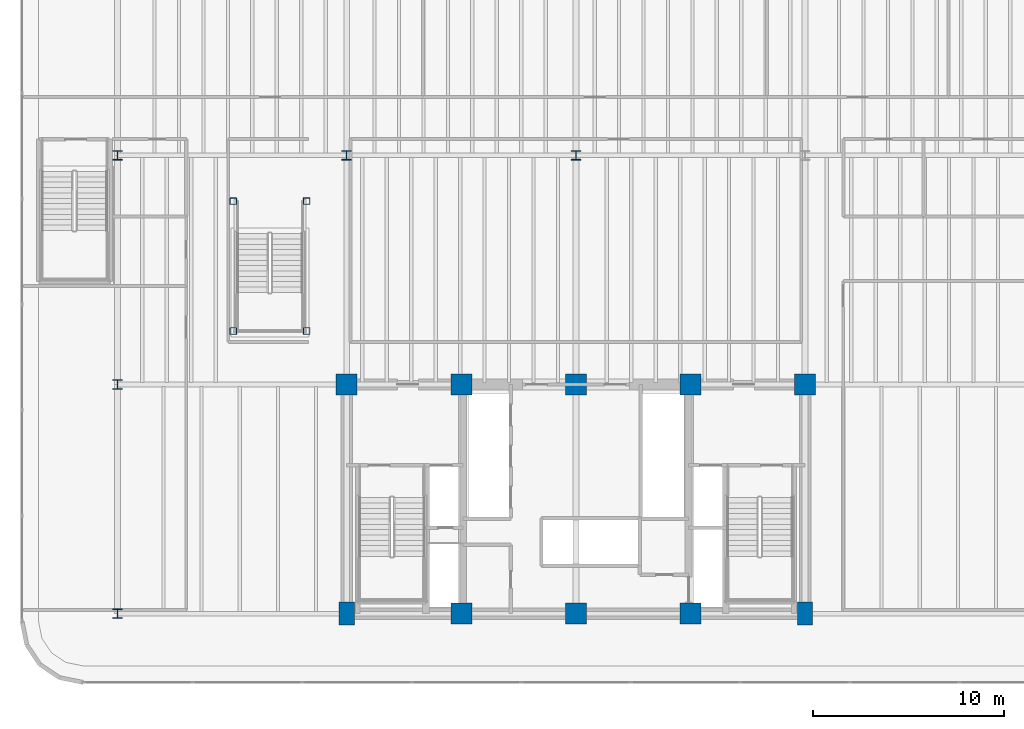
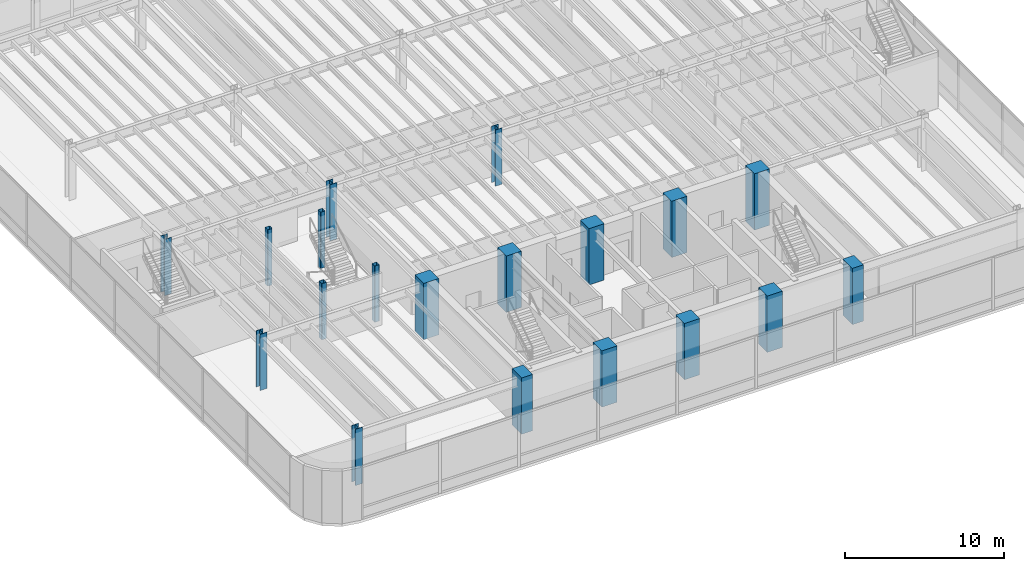
# One storey, part 1 of 19: 19 columns.
"""IFC4 building model written with IfcOpenShell, lengths in metres."""

import ifcopenshell
import ifcopenshell.guid

model = None  # the IFC model being written
_history = None  # IfcOwnerHistory: only IFC2X3 demands one
_inside = {}  # id of a spatial element -> (the spatial element, [elements in it])
_under = {}  # id of a project, library or spatial element -> (it, [spatial elements below it])
_declared = {}  # id of a project -> (the project, [libraries it declares])
_typed = {}  # id of a type object -> (the type object, [elements of that type])
_made_of = {}  # id of a material, layer set ... -> (it, [elements and type objects made of it])


def new_model(schema):
    """Start an empty IFC model of exactly this schema.

    Asked for "IFC4X3", IfcOpenShell would pick the latest addendum, in which some entities
    have other attributes; the version numbers below select the first issue.
    IFC2X3 requires an IfcOwnerHistory on every rooted entity: one is made here for all.
    """
    global model, _history
    if schema == "IFC4X3":
        model = ifcopenshell.file(schema_version=(4, 3, 0, 0))
    else:
        model = ifcopenshell.file(schema=schema)
    _inside.clear()
    _under.clear()
    _declared.clear()
    _typed.clear()
    _made_of.clear()
    _history = None
    if model.schema == "IFC2X3":
        org = make("IfcOrganization", Name="unknown")
        user = make(
            "IfcPersonAndOrganization",
            ThePerson=make("IfcPerson", FamilyName="unknown"),
            TheOrganization=org,
        )
        app = make(
            "IfcApplication",
            ApplicationDeveloper=org,
            Version="unknown",
            ApplicationFullName="unknown",
            ApplicationIdentifier="unknown",
        )
        _history = make(
            "IfcOwnerHistory",
            OwningUser=user,
            OwningApplication=app,
            ChangeAction="ADDED",
            CreationDate=0,
        )
    return model


def make(cls, **values):
    """One entity of the class cls with the attributes given. An attribute that is None is left unset."""
    return model.create_entity(
        cls, **{name: value for name, value in values.items() if value is not None}
    )


def rooted(cls, **values):
    """An entity with a GlobalId (a new one), such as an element, a storey or a relation."""
    return make(cls, GlobalId=ifcopenshell.guid.new(), OwnerHistory=_history, **values)


def si_unit(unit_type, name, prefix=None):
    """IfcSIUnit, for example si_unit("LENGTHUNIT", "METRE", prefix="MILLI")."""
    return make("IfcSIUnit", UnitType=unit_type, Prefix=prefix, Name=name)


def assignment(units):
    """IfcUnitAssignment: the units of a project."""
    return None if units is None else make("IfcUnitAssignment", Units=units)


def point(xyz):
    """IfcCartesianPoint."""
    return None if xyz is None else make("IfcCartesianPoint", Coordinates=xyz)


def direction(xyz):
    """IfcDirection."""
    return None if xyz is None else make("IfcDirection", DirectionRatios=xyz)


def frame(location, z_axis=None, x_axis=None):
    """IfcAxis2Placement3D, a coordinate frame: its origin and axes. An axis left out is left unset."""
    return make(
        "IfcAxis2Placement3D",
        Location=point(location),
        Axis=direction(z_axis),
        RefDirection=direction(x_axis),
    )


def frame_2d(location, x_axis=None):
    """IfcAxis2Placement2D, a coordinate frame in the plane: its origin and x axis."""
    return make(
        "IfcAxis2Placement2D", Location=point(location), RefDirection=direction(x_axis)
    )


def origin():
    """The frame at (0, 0, 0) with its axes left unset."""
    return frame((0.0, 0.0, 0.0))


def origin_2d():
    """The frame at (0, 0) in the plane with its x axis left unset."""
    return frame_2d((0.0, 0.0))


def place(relative_to, where):
    """IfcLocalPlacement: puts the frame where relative to a parent placement (None: the world)."""
    return make(
        "IfcLocalPlacement", PlacementRelTo=relative_to, RelativePlacement=where
    )


def context(
    kind, dimensions, precision=None, world=None, true_north=None, identifier=None
):
    """IfcGeometricRepresentationContext, for example the 3D "Model" context."""
    return make(
        "IfcGeometricRepresentationContext",
        ContextIdentifier=identifier,
        ContextType=kind,
        CoordinateSpaceDimension=dimensions,
        Precision=precision,
        WorldCoordinateSystem=world,
        TrueNorth=true_north,
    )


def subcontext(parent, identifier, kind, view, scale=None):
    """IfcGeometricRepresentationSubContext, for example "Body" below "Model"."""
    return make(
        "IfcGeometricRepresentationSubContext",
        ContextIdentifier=identifier,
        ContextType=kind,
        ParentContext=parent,
        TargetScale=scale,
        TargetView=view,
    )


def project(units=None, contexts=None):
    """IfcProject with its units and contexts."""
    return rooted(
        "IfcProject",
        Name="project",
        RepresentationContexts=contexts,
        UnitsInContext=assignment(units),
    )


def spatial(cls, under=None, at=None, **own):
    """A site, building, storey or space (cls), placed at a placement, below another one or the project."""
    s = rooted(cls, ObjectPlacement=at, **own)
    if under is not None:
        _under.setdefault(under.id(), (under, []))[1].append(s)
    return s


def profile(cls, at=None, kind="AREA", **sizes):
    """A parametric profile (cls). Its sizes go by their IFC names, for example OverallWidth=200.0."""
    return make(cls, ProfileType=kind, Position=at, **sizes)


def rectangle(**sizes):
    """IfcRectangleProfileDef."""
    return profile("IfcRectangleProfileDef", **sizes)


def hollow_rectangle(**sizes):
    """IfcRectangleHollowProfileDef."""
    return profile("IfcRectangleHollowProfileDef", **sizes)


def i_section(**sizes):
    """IfcIShapeProfileDef."""
    return profile("IfcIShapeProfileDef", **sizes)


def extrude(swept, where, along, depth):
    """IfcExtrudedAreaSolid: the profile swept, set in the frame where, extruded along a direction by depth."""
    return make(
        "IfcExtrudedAreaSolid",
        SweptArea=swept,
        Position=where,
        ExtrudedDirection=direction(along),
        Depth=depth,
    )


def shape(context_of_items, identifier, shape_type, items):
    """IfcShapeRepresentation: the items that make up one representation, for example the "Body"."""
    return make(
        "IfcShapeRepresentation",
        ContextOfItems=context_of_items,
        RepresentationIdentifier=identifier,
        RepresentationType=shape_type,
        Items=items,
    )


def source(mapping_origin, context_of_items, identifier, shape_type, items):
    """IfcRepresentationMap: a shape defined once, which mapped items show again and again."""
    return make(
        "IfcRepresentationMap",
        MappingOrigin=mapping_origin,
        MappedRepresentation=shape(context_of_items, identifier, shape_type, items),
    )


def transform(
    local_origin,
    x_axis=None,
    y_axis=None,
    z_axis=None,
    scale=None,
    scale2=None,
    scale3=None,
    uniform=True,
):
    """IfcCartesianTransformationOperator3D, or its non-uniform kind. x_axis, y_axis, z_axis: its Axis1, 2, 3."""
    if uniform:
        return make(
            "IfcCartesianTransformationOperator3D",
            Axis1=direction(x_axis),
            Axis2=direction(y_axis),
            LocalOrigin=point(local_origin),
            Scale=scale,
            Axis3=direction(z_axis),
        )
    return make(
        "IfcCartesianTransformationOperator3DnonUniform",
        Axis1=direction(x_axis),
        Axis2=direction(y_axis),
        LocalOrigin=point(local_origin),
        Scale=scale,
        Axis3=direction(z_axis),
        Scale2=scale2,
        Scale3=scale3,
    )


def mapped(mapping_source, mapping_target):
    """IfcMappedItem: shows the shape of a source again, moved by a transform."""
    return make(
        "IfcMappedItem", MappingSource=mapping_source, MappingTarget=mapping_target
    )


def material(Name=None, Category=None):
    """IfcMaterial."""
    return make("IfcMaterial", Name=Name, Category=Category)


def material_profile(
    of_material, cross_section, Name=None, Category=None, Priority=None
):
    """IfcMaterialProfile: a cross section and its material."""
    return make(
        "IfcMaterialProfile",
        Name=Name,
        Material=of_material,
        Profile=cross_section,
        Priority=Priority,
        Category=Category,
    )


def profile_set(profiles, Name=None, composite=None):
    """IfcMaterialProfileSet."""
    return make(
        "IfcMaterialProfileSet",
        Name=Name,
        MaterialProfiles=profiles,
        CompositeProfile=composite,
    )


def made_of(thing, what):
    """Note that an element or type object is made of a material, layer set ...; save() writes the relation."""
    if what is not None:
        _made_of.setdefault(what.id(), (what, []))[1].append(thing)
    return thing


def type_object(cls, material=None, **own):
    """A type object (cls), such as IfcWallType, which elements share."""
    return made_of(rooted(cls, **own), material)


def element(
    cls,
    number,
    at=None,
    inside=None,
    cuts=None,
    type_object=None,
    material=None,
    context=None,
    identifier="Body",
    shape_type=None,
    held_by="IfcProductDefinitionShape",
    body=None,
    shapes=None,
    **own,
):
    """One element of the class cls, such as IfcWall. Its Tag is "e" and its number.

    at: its placement. inside: the storey or other place that contains it. cuts: it is an
    opening in that element (IfcRelVoidsElement). A single representation is given by context,
    identifier, shape_type and body (its items); several are given by shapes. held_by: the class
    of the entity that holds the representations. save() writes the other relations.
    """
    e = rooted(cls, Tag="e%d" % number, ObjectPlacement=at, **own)
    if body is not None:
        shapes = [shape(context, identifier, shape_type, body)]
    if shapes is not None:
        e.Representation = make(held_by, Representations=shapes)
    if inside is not None:
        _inside.setdefault(inside.id(), (inside, []))[1].append(e)
    if cuts is not None:
        rooted(
            "IfcRelVoidsElement", RelatingBuildingElement=cuts, RelatedOpeningElement=e
        )
    if type_object is not None:
        _typed.setdefault(type_object.id(), (type_object, []))[1].append(e)
    return made_of(e, material)


def aggregate(whole, parts):
    """IfcRelAggregates: a whole, such as a stair, and the parts it consists of."""
    return rooted("IfcRelAggregates", RelatingObject=whole, RelatedObjects=parts)


def save(model, path):
    """Write the relations noted so far, then the file.

    IfcRelAggregates (storeys below a building ...), IfcRelContainedInSpatialStructure (elements
    in a storey), IfcRelDefinesByType, IfcRelAssociatesMaterial and IfcRelDeclares: one each for
    every whole, place, type object, material and project.
    """
    for whole, parts in _under.values():
        aggregate(whole, parts)
    for where, things in _inside.values():
        rooted(
            "IfcRelContainedInSpatialStructure",
            RelatedElements=things,
            RelatingStructure=where,
        )
    for kind, things in _typed.values():
        rooted("IfcRelDefinesByType", RelatedObjects=things, RelatingType=kind)
    for what, things in _made_of.values():
        rooted("IfcRelAssociatesMaterial", RelatedObjects=things, RelatingMaterial=what)
    for by, libraries in _declared.values():
        rooted("IfcRelDeclares", RelatingContext=by, RelatedDefinitions=libraries)
    model.write(path)


model = new_model("IFC4")

# Units and contexts
model_context = context("Model", 3, precision=1e-05, world=origin(), true_north=direction((0.0, 1.0)))
body_context = subcontext(model_context, "Body", "Model", "MODEL_VIEW")
ifc_project = project(units=[si_unit("LENGTHUNIT", "METRE"), si_unit("AREAUNIT", "SQUARE_METRE"), si_unit("VOLUMEUNIT", "CUBIC_METRE"), si_unit("PLANEANGLEUNIT", "RADIAN"), si_unit("MASSUNIT", "GRAM", prefix="KILO")], contexts=[model_context])

# Site, building, storey
site_placement = place(None, origin())
site = spatial("IfcSite", under=ifc_project, at=site_placement, CompositionType="ELEMENT")
building_placement = place(site_placement, origin())
building = spatial("IfcBuilding", under=site, at=building_placement, Name="Brelvock Crest Care Tower", CompositionType="ELEMENT")
storey_placement = place(building_placement, frame((0.0, 0.0, 14.0400390625)))
storey = spatial("IfcBuildingStorey", under=building, at=storey_placement, Name="L03", CompositionType="ELEMENT", Elevation=14.0400390625)

# Columns
ifc_material_1 = material(Name="Concrete S80 (80 MPa)", Category="concrete")
ifc_material_profile_1 = material_profile(ifc_material_1, rectangle(XDim=0.800048828125, YDim=1.199951171875, at=origin_2d()), Name="RC800x1200")
ifc_profile_set_1 = profile_set([ifc_material_profile_1], Name="Concrete S80 (80 MPa)")
column_type_1 = type_object("IfcColumnType", Name="COL-RC5", PredefinedType="COLUMN", material=ifc_profile_set_1)
shared_shape_1 = source(origin(), body_context, "Body", "SweptSolid", [
    extrude(rectangle(XDim=0.800048828125, YDim=1.199951171875, at=origin_2d()), origin(), (0.0, 0.0, 1.0), 4.320068359375),
])
for number, where, z_axis, x_axis, name in (
    (1, (24.0, 6.0, 0.0), (0.0, 0.0, 1.0), (1.0, 0.0, 0.0), "L03 Core Column CC-01"),
    (2, (48.0, 6.0, 0.0), (0.0, 0.0, 1.0), (1.0, 0.0, 0.0), "L03 Core Column CC-05"),
):
    element("IfcColumn", number, at=place(storey_placement, frame(where, z_axis=z_axis, x_axis=x_axis)), inside=storey, type_object=column_type_1, Name=name, PredefinedType="COLUMN", context=body_context, shape_type="MappedRepresentation", body=[
        mapped(shared_shape_1, transform((0.0, 0.0, 0.0), x_axis=(1.0, 0.0, 0.0), y_axis=(0.0, 1.0, 0.0), z_axis=(0.0, 0.0, 1.0), scale=1.0)),
    ])
ifc_material_profile_2 = material_profile(ifc_material_1, rectangle(XDim=1.10009765625, YDim=1.10009765625, at=origin_2d()), Name="RC1100x1100")
ifc_profile_set_2 = profile_set([ifc_material_profile_2], Name="Concrete S80 (80 MPa)")
column_type_2 = type_object("IfcColumnType", Name="COL-RC1", PredefinedType="COLUMN", material=ifc_profile_set_2)
shared_shape_2 = source(origin(), body_context, "Body", "SweptSolid", [
    extrude(rectangle(XDim=1.10009765625, YDim=1.10009765625, at=origin_2d()), origin(), (0.0, 0.0, 1.0), 4.320068359375),
])
for number, where, z_axis, x_axis, name in (
    (3, (30.0, 6.0, 0.0), (0.0, 0.0, 1.0), (1.0, 0.0, 0.0), "L03 Core Column CC-02"),
    (4, (36.0, 6.0, 0.0), (0.0, 0.0, 1.0), (1.0, 0.0, 0.0), "L03 Core Column CC-03"),
    (5, (42.0, 6.0, 0.0), (0.0, 0.0, 1.0), (1.0, 0.0, 0.0), "L03 Core Column CC-04"),
    (6, (24.0, 18.0, 0.0), (0.0, 0.0, 1.0), (1.0, 0.0, 0.0), "L03 Core Column CC-06"),
    (7, (30.0, 18.0, 0.0), (0.0, 0.0, 1.0), (1.0, 0.0, 0.0), "L03 Core Column CC-07"),
    (8, (36.0, 18.0, 0.0), (0.0, 0.0, 1.0), (1.0, 0.0, 0.0), "L03 Core Column CC-08"),
    (9, (42.0, 18.0, 0.0), (0.0, 0.0, 1.0), (1.0, 0.0, 0.0), "L03 Core Column CC-09"),
    (10, (48.0, 18.0, 0.0), (0.0, 0.0, 1.0), (1.0, 0.0, 0.0), "L03 Core Column CC-10"),
):
    element("IfcColumn", number, at=place(storey_placement, frame(where, z_axis=z_axis, x_axis=x_axis)), inside=storey, type_object=column_type_2, Name=name, PredefinedType="COLUMN", context=body_context, shape_type="MappedRepresentation", body=[
        mapped(shared_shape_2, transform((0.0, 0.0, 0.0), x_axis=(1.0, 0.0, 0.0), y_axis=(0.0, 1.0, 0.0), z_axis=(0.0, 0.0, 1.0), scale=1.0)),
    ])
ifc_material_2 = material(Name="Steel Grade 350", Category="steel")
ifc_material_profile_3 = material_profile(ifc_material_2, hollow_rectangle(XDim=0.35009765625, YDim=0.35009765625, WallThickness=0.01611328125, OuterFilletRadius=0.031982421875, at=origin_2d()), Name="SHS350x350x16.0")
ifc_profile_set_3 = profile_set([ifc_material_profile_3], Name="Steel Grade 350")
column_type_3 = type_object("IfcColumnType", Name="COL-CR2", PredefinedType="COLUMN", material=ifc_profile_set_3)
shared_shape_3 = source(origin(), body_context, "Body", "SweptSolid", [
    extrude(hollow_rectangle(XDim=0.35009765625, YDim=0.35009765625, WallThickness=0.01611328125, OuterFilletRadius=0.031982421875, at=origin_2d()), origin(), (0.0, 0.0, 1.0), 4.320068359375),
])
for number, where, z_axis, x_axis, name in (
    (11, (18.06005859375, 20.800048828125, 0.0), (0.0, 0.0, 1.0), (1.0, 0.0, 0.0), "L03 Atrium Stair ST-5 Support Post SW"),
    (12, (21.89990234375, 20.800048828125, 0.0), (0.0, 0.0, 1.0), (1.0, 0.0, 0.0), "L03 Atrium Stair ST-5 Support Post SE"),
    (13, (18.06005859375, 27.60009765625, 0.0), (0.0, 0.0, 1.0), (1.0, 0.0, 0.0), "L03 Atrium Stair ST-5 Support Post NW"),
    (14, (21.89990234375, 27.60009765625, 0.0), (0.0, 0.0, 1.0), (1.0, 0.0, 0.0), "L03 Atrium Stair ST-5 Support Post NE"),
):
    element("IfcColumn", number, at=place(storey_placement, frame(where, z_axis=z_axis, x_axis=x_axis)), inside=storey, type_object=column_type_3, Name=name, PredefinedType="COLUMN", context=body_context, shape_type="MappedRepresentation", body=[
        mapped(shared_shape_3, transform((0.0, 0.0, 0.0), x_axis=(1.0, 0.0, 0.0), y_axis=(0.0, 1.0, 0.0), z_axis=(0.0, 0.0, 1.0), scale=1.0)),
    ])
ifc_material_profile_4 = material_profile(ifc_material_2, i_section(OverallWidth=0.5, OverallDepth=0.5, WebThickness=0.02197265625, FlangeThickness=0.034912109375, at=origin_2d()), Name="500WC340")
ifc_profile_set_4 = profile_set([ifc_material_profile_4], Name="Steel Grade 350")
column_type_4 = type_object("IfcColumnType", Name="COL-PC2", PredefinedType="COLUMN", material=ifc_profile_set_4)
shared_shape_4 = source(origin(), body_context, "Body", "SweptSolid", [
    extrude(i_section(OverallWidth=0.5, OverallDepth=0.5, WebThickness=0.02197265625, FlangeThickness=0.034912109375, at=origin_2d()), origin(), (0.0, 0.0, 1.0), 4.320068359375),
])
for number, where, z_axis, x_axis, name in (
    (15, (12.0, 6.0, 0.0), (0.0, 0.0, 1.0), (1.0, 0.0, 0.0), "L03 Podium Column PC-01"),
    (16, (12.0, 18.0, 0.0), (0.0, 0.0, 1.0), (1.0, 0.0, 0.0), "L03 Podium Column PC-03"),
    (17, (12.0, 30.0, 0.0), (0.0, 0.0, 1.0), (1.0, 0.0, 0.0), "L03 Podium Column PC-05"),
    (18, (24.0, 30.0, 0.0), (0.0, 0.0, 1.0), (1.0, 0.0, 0.0), "L03 Podium Column PC-06"),
    (19, (36.0, 30.0, 0.0), (0.0, 0.0, 1.0), (1.0, 0.0, 0.0), "L03 Podium Column PC-07"),
):
    element("IfcColumn", number, at=place(storey_placement, frame(where, z_axis=z_axis, x_axis=x_axis)), inside=storey, type_object=column_type_4, Name=name, PredefinedType="COLUMN", context=body_context, shape_type="MappedRepresentation", body=[
        mapped(shared_shape_4, transform((0.0, 0.0, 0.0), x_axis=(1.0, 0.0, 0.0), y_axis=(0.0, 1.0, 0.0), z_axis=(0.0, 0.0, 1.0), scale=1.0)),
    ])

save(model, "model.ifc")
